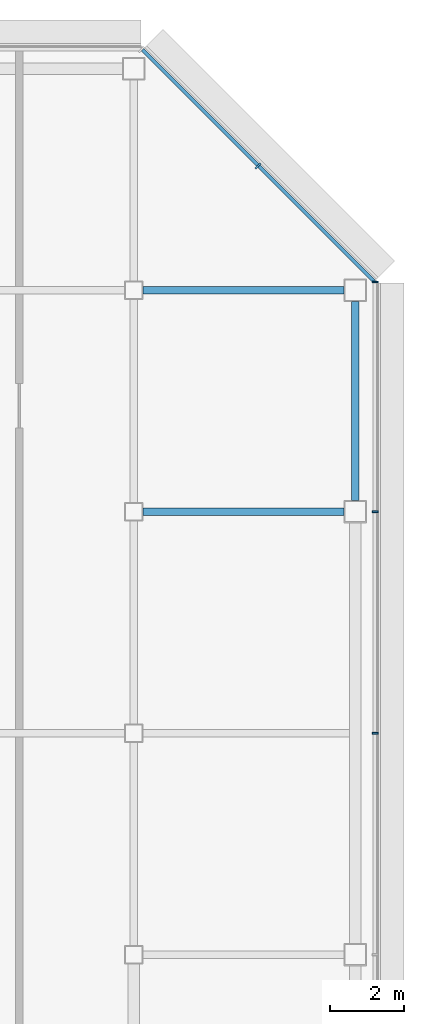
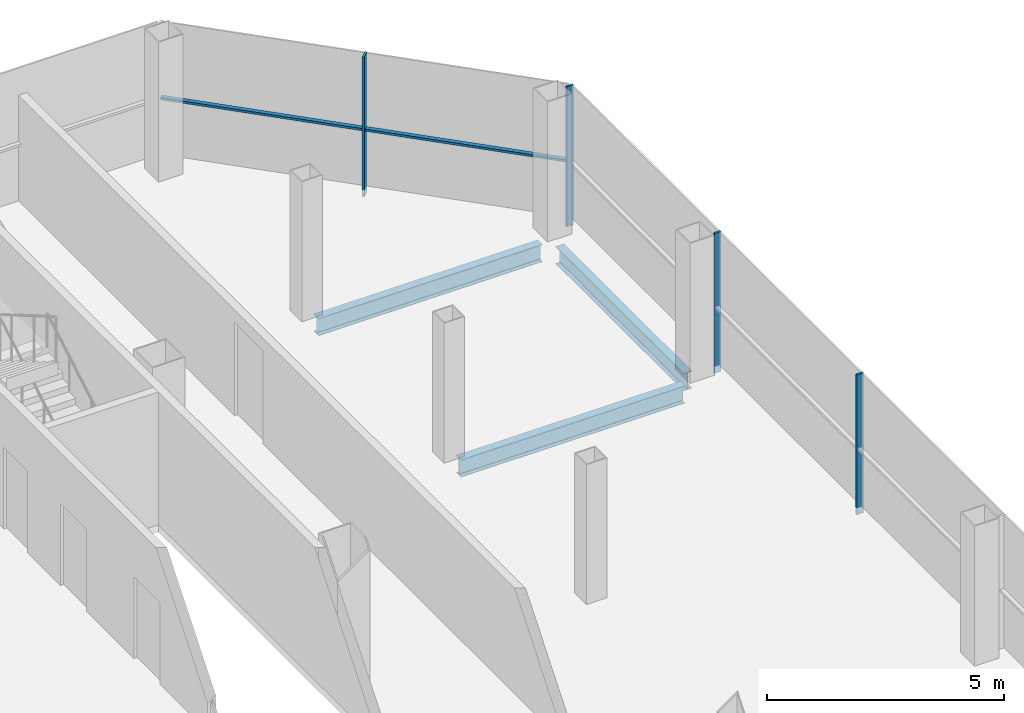
# One storey, part 19 of 28: 5 members, 3 beams, 2 elements without a shape of their own.
"""IFC4 building model written with IfcOpenShell, lengths in metres."""

from ifc_helpers import new_model, si_unit, direction, frame, origin, origin_2d, place, context, subcontext, project, spatial, rectangle, i_section, extrude, material, material_profile, profile_set, type_object, element, aggregate, save


model = new_model("IFC4")

# Units and contexts
model_context = context("Model", 3, precision=1e-05, world=origin(), true_north=direction((0.0, 1.0)))
body_context = subcontext(model_context, "Body", "Model", "MODEL_VIEW")
ifc_project = project(units=[si_unit("LENGTHUNIT", "METRE"), si_unit("AREAUNIT", "SQUARE_METRE"), si_unit("VOLUMEUNIT", "CUBIC_METRE"), si_unit("PLANEANGLEUNIT", "RADIAN"), si_unit("MASSUNIT", "GRAM", prefix="KILO")], contexts=[model_context])

# Site, building, storey
site_placement = place(None, origin())
site = spatial("IfcSite", under=ifc_project, at=site_placement, CompositionType="ELEMENT")
building_placement = place(site_placement, origin())
building = spatial("IfcBuilding", under=site, at=building_placement, Name="Sorahane Residences", CompositionType="ELEMENT")
storey_placement = place(building_placement, frame((0.0, 0.0, 273.800048828125)))
storey = spatial("IfcBuildingStorey", under=building, at=storey_placement, Name="L65", CompositionType="ELEMENT", Elevation=273.800048828125)

# Curtain wall, members
ifc_material_1 = material(Name="Dark low-e glass and black anodised aluminium", Category="aluminium")
curtain_wall_type_1 = type_object("IfcCurtainWallType", Name="Curtain wall CW-1 Typical unitised wall", PredefinedType="NOTDEFINED", material=ifc_material_1)
curtain_wall_1_placement = place(storey_placement, origin())
curtain_wall_1 = element("IfcCurtainWall", 1, at=curtain_wall_1_placement, inside=storey, type_object=curtain_wall_type_1, Name="CW-1 curtain wall L65 E1", PredefinedType="NOTDEFINED")
ifc_material_2 = material(Name="Black anodised aluminium", Category="aluminium")
ifc_material_profile_1 = material_profile(ifc_material_2, rectangle(XDim=0.159912109375, YDim=0.050048828125, at=origin_2d()), Name="Curtain wall mullion CW-1 black anodised aluminium 50x160")
ifc_profile_set_1 = profile_set([ifc_material_profile_1], Name="Black anodised aluminium")
member_type_1 = type_object("IfcMemberType", Name="Curtain wall mullion CW-1 black anodised aluminium 50x160", PredefinedType="MULLION", material=ifc_profile_set_1)
member_1_placement = place(storey_placement, frame((54.5400390625, 30.0, -0.179931640625), z_axis=(0.0, 0.0, 1.0), x_axis=(1.0, 0.0, 0.0)))
member_1 = element("IfcMember", 2, at=member_1_placement, type_object=member_type_1, Name="CW-1 mullion L65 E1.5", PredefinedType="MULLION", context=body_context, shape_type="SweptSolid", body=[
    extrude(rectangle(XDim=0.159912109375, YDim=0.050048828125, at=origin_2d()), origin(), (0.0, 0.0, 1.0), 3.599853515625),
])
member_2_placement = place(storey_placement, frame((54.5400390625, 36.0, -0.179931640625), z_axis=(0.0, 0.0, 1.0), x_axis=(1.0, 0.0, 0.0)))
member_2 = element("IfcMember", 3, at=member_2_placement, type_object=member_type_1, Name="CW-1 mullion L65 E1.6", PredefinedType="MULLION", context=body_context, shape_type="SweptSolid", body=[
    extrude(rectangle(XDim=0.159912109375, YDim=0.050048828125, at=origin_2d()), origin(), (0.0, 0.0, 1.0), 3.599853515625),
])
member_3_placement = place(storey_placement, frame((54.5400390625, 42.2236328125, -0.179931640625), z_axis=(0.0, 0.0, 1.0), x_axis=(1.0, 0.0, 0.0)))
member_3 = element("IfcMember", 4, at=member_3_placement, type_object=member_type_1, Name="CW-1 mullion L65 E1.7", PredefinedType="MULLION", context=body_context, shape_type="SweptSolid", body=[
    extrude(rectangle(XDim=0.159912109375, YDim=0.050048828125, at=origin_2d()), origin(), (0.0, 0.0, 1.0), 3.599853515625),
])
aggregate(curtain_wall_1, [member_1, member_2, member_3])

ifc_material_3 = material(Name="Dark low-e glass and black anodised aluminium", Category="aluminium")
curtain_wall_type_2 = type_object("IfcCurtainWallType", Name="Curtain wall CW-2 Chamfer unitised wall", PredefinedType="NOTDEFINED", material=ifc_material_3)
curtain_wall_2_placement = place(storey_placement, origin())
curtain_wall_2 = element("IfcCurtainWall", 5, at=curtain_wall_2_placement, inside=storey, type_object=curtain_wall_type_2, Name="CW-2 curtain wall L65 NE1", PredefinedType="NOTDEFINED")
ifc_material_4 = material(Name="Black anodised aluminium", Category="aluminium")
ifc_material_profile_2 = material_profile(ifc_material_4, rectangle(XDim=0.199951171875, YDim=0.050048828125, at=origin_2d()), Name="Curtain wall mullion CW-2 black anodised aluminium 50x200")
ifc_profile_set_2 = profile_set([ifc_material_profile_2], Name="Black anodised aluminium")
member_type_2 = type_object("IfcMemberType", Name="Curtain wall mullion CW-2 black anodised aluminium 50x200", PredefinedType="MULLION", material=ifc_profile_set_2)
member_4_placement = place(storey_placement, frame((51.36767578125, 45.36767578125, -0.179931640625), z_axis=(0.0, 0.0, 1.0), x_axis=(0.707106781187, 0.707106781187, 0.0)))
member_4 = element("IfcMember", 6, at=member_4_placement, type_object=member_type_2, Name="CW-2 mullion L65 NE1.2", PredefinedType="MULLION", context=body_context, shape_type="SweptSolid", body=[
    extrude(rectangle(XDim=0.199951171875, YDim=0.050048828125, at=origin_2d()), origin(), (0.0, 0.0, 1.0), 3.599853515625),
])
ifc_material_5 = material(Name="Black anodised aluminium", Category="aluminium")
ifc_material_profile_3 = material_profile(ifc_material_5, rectangle(XDim=0.10009765625, YDim=0.06005859375, at=origin_2d()), Name="Curtain wall transom CW-2 black anodised aluminium 60x100")
ifc_profile_set_3 = profile_set([ifc_material_profile_3], Name="Black anodised aluminium")
member_type_3 = type_object("IfcMemberType", Name="Curtain wall transom CW-2 black anodised aluminium 60x100", PredefinedType="USERDEFINED", material=ifc_profile_set_3)
member_5_placement = place(storey_placement, frame((54.51513671875, 42.234375, 1.5), z_axis=(-0.707106781187, 0.707106781187, 0.0), x_axis=(-0.707106781187, -0.707106781187, 0.0)))
member_5 = element("IfcMember", 7, at=member_5_placement, type_object=member_type_3, Name="CW-2 transom L65 NE1", ObjectType="TRANSOM", PredefinedType="USERDEFINED", context=body_context, shape_type="SweptSolid", body=[
    extrude(rectangle(XDim=0.10009765625, YDim=0.06005859375, at=origin_2d()), origin(), (0.0, 0.0, 1.0), 8.88232421875),
])
aggregate(curtain_wall_2, [member_4, member_5])

# Beams
ifc_material_6 = material(Name="Steel Q355B", Category="steel")
ifc_material_profile_4 = material_profile(ifc_material_6, i_section(OverallWidth=0.199951171875, OverallDepth=0.449951171875, WebThickness=0.009033203125, FlangeThickness=0.013916015625, FilletRadius=0.02001953125, at=origin_2d()), Name="HN 450x200x9x14")
ifc_profile_set_4 = profile_set([ifc_material_profile_4], Name="Steel Q355B")
beam_type = type_object("IfcBeamType", Name="Steel floor beam HN 450x200x9x14 Q355B", PredefinedType="BEAM", material=ifc_profile_set_4)
beam_1_placement = place(storey_placement, frame((48.25, 36.0, -0.405029296875), z_axis=(1.0, 0.0, 0.0), x_axis=(0.0, 1.0, 0.0)))
element("IfcBeam", 8, at=beam_1_placement, inside=storey, type_object=beam_type, Name="Beam L65 014", PredefinedType="BEAM", context=body_context, shape_type="SweptSolid", body=[
    extrude(i_section(OverallWidth=0.199951171875, OverallDepth=0.449951171875, WebThickness=0.009033203125, FlangeThickness=0.013916015625, FilletRadius=0.02001953125, at=origin_2d()), origin(), (0.0, 0.0, 1.0), 5.449951171875),
])
beam_2_placement = place(storey_placement, frame((54.0, 36.300048828125, -0.405029296875), z_axis=(0.0, 1.0, 0.0), x_axis=(-1.0, 0.0, 0.0)))
element("IfcBeam", 9, at=beam_2_placement, inside=storey, type_object=beam_type, Name="Beam L65 067", PredefinedType="BEAM", context=body_context, shape_type="SweptSolid", body=[
    extrude(i_section(OverallWidth=0.199951171875, OverallDepth=0.449951171875, WebThickness=0.009033203125, FlangeThickness=0.013916015625, FilletRadius=0.02001953125, at=origin_2d()), origin(), (0.0, 0.0, 1.0), 5.39990234375),
])
beam_3_placement = place(storey_placement, frame((48.25, 42.0, -0.405029296875), z_axis=(1.0, 0.0, 0.0), x_axis=(0.0, 1.0, 0.0)))
element("IfcBeam", 10, at=beam_3_placement, inside=storey, type_object=beam_type, Name="Beam L65 092", PredefinedType="BEAM", context=body_context, shape_type="SweptSolid", body=[
    extrude(i_section(OverallWidth=0.199951171875, OverallDepth=0.449951171875, WebThickness=0.009033203125, FlangeThickness=0.013916015625, FilletRadius=0.02001953125, at=origin_2d()), origin(), (0.0, 0.0, 1.0), 5.449951171875),
])

save(model, "model.ifc")
